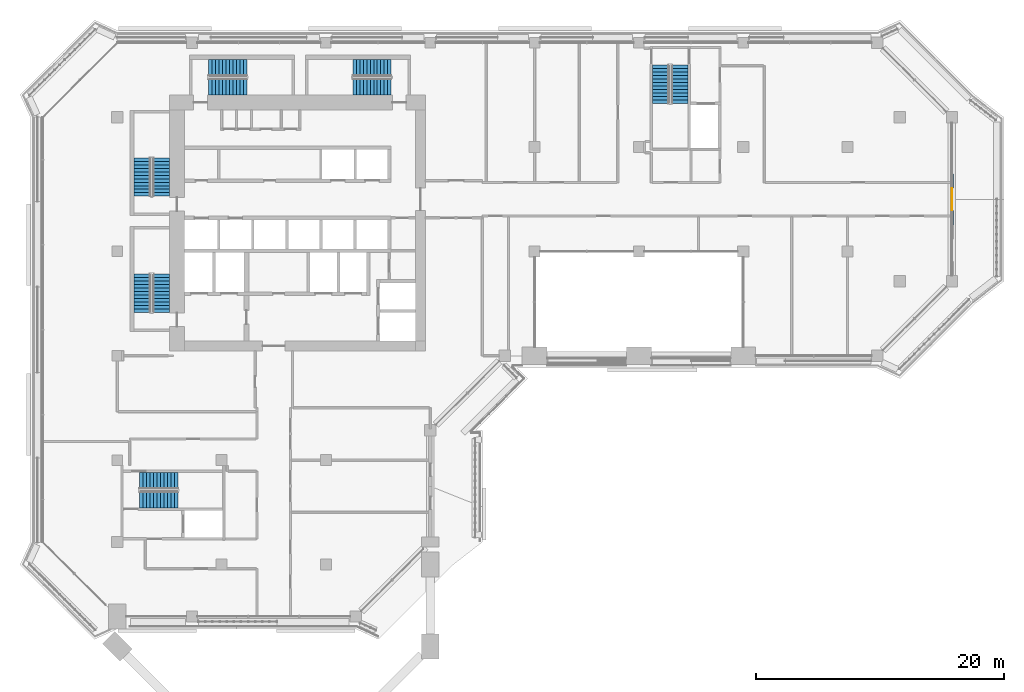
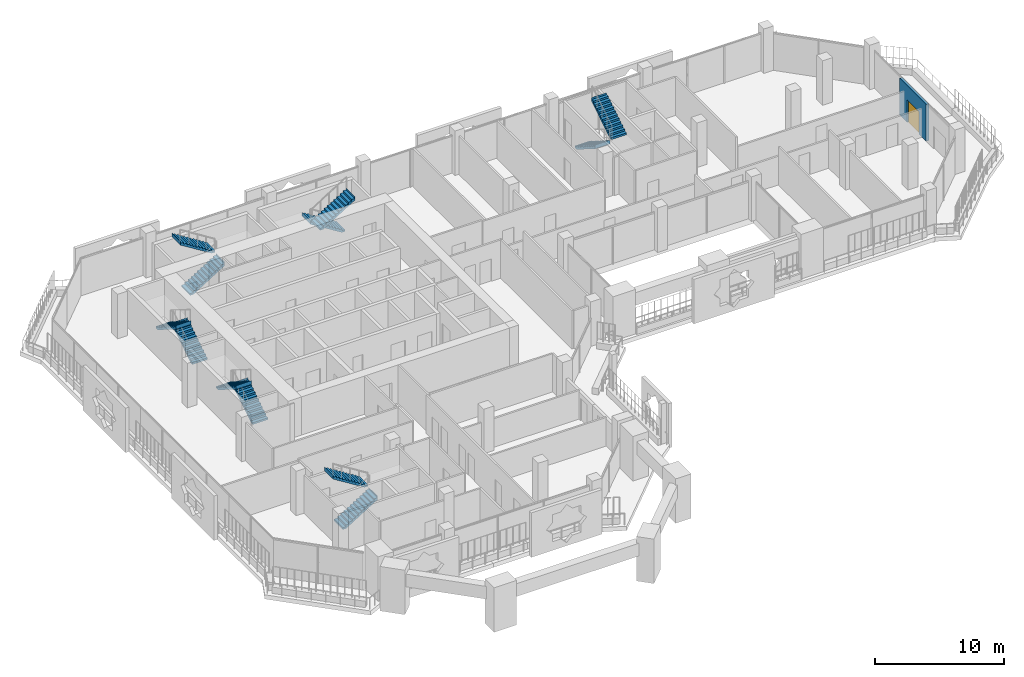
# One storey, part 16 of 23: 12 stair flights, 1 door, 1 wall, 1 opening, 6 elements without a shape of their own.
"""IFC4 building model written with IfcOpenShell, lengths in metres."""

from ifc_helpers import new_model, si_unit, direction, frame, frame_2d, origin, place, context, subcontext, project, spatial, polyline, rectangle, outline, extrude, material, layer, layer_set, type_object, element, fill, aggregate, save


model = new_model("IFC4")

# Units and contexts
model_context = context("Model", 3, precision=1e-05, world=origin(), true_north=direction((0.0, 1.0)))
body_context = subcontext(model_context, "Body", "Model", "MODEL_VIEW")
ifc_project = project(units=[si_unit("LENGTHUNIT", "METRE"), si_unit("AREAUNIT", "SQUARE_METRE"), si_unit("VOLUMEUNIT", "CUBIC_METRE"), si_unit("PLANEANGLEUNIT", "RADIAN"), si_unit("MASSUNIT", "GRAM", prefix="KILO")], contexts=[model_context])

# Site, building, storey
site_placement = place(None, origin())
site = spatial("IfcSite", under=ifc_project, at=site_placement, CompositionType="ELEMENT")
building_placement = place(site_placement, origin())
building = spatial("IfcBuilding", under=site, at=building_placement, Name="Kawkab Arch Medical Tower", CompositionType="ELEMENT")
storey_placement = place(building_placement, frame((0.0, 0.0, 226.39990234375)))
storey = spatial("IfcBuildingStorey", under=building, at=storey_placement, Name="L52", CompositionType="ELEMENT", Elevation=226.39990234375)

# Wall, opening, door
ifc_material_1 = material(Name="Bronze clad insulated wall panel")
ifc_layer = layer(ifc_material_1, 0.25)
ifc_layer_set = layer_set([ifc_layer], Name="Bronze clad insulated wall panel")
wall_type = type_object("IfcWallType", Name="External wall bay 250", PredefinedType="SOLIDWALL", material=ifc_layer_set)
wall_placement = place(storey_placement, frame((67.199951171875, -14.64990234375, 0.0), z_axis=(0.0, 0.0, 1.0), x_axis=(0.0, 1.0, 0.0)))
wall = element("IfcWall", 1, at=wall_placement, inside=storey, type_object=wall_type, Name="External wall bay L52.R07.1.2", PredefinedType="SOLIDWALL", context=body_context, shape_type="SweptSolid", body=[
    extrude(rectangle(XDim=4.099853515625, YDim=0.25, at=frame_2d((2.0498046875, 0.0))), origin(), (0.0, 0.0, 1.0), 3.47998046875),
])
opening_placement = place(wall_placement, frame((1.14990234375, 0.0, 0.0)))
opening = element("IfcOpeningElement", 2, at=opening_placement, cuts=wall, Name="Opening B52-701", PredefinedType="OPENING", context=body_context, shape_type="SweptSolid", body=[
    extrude(rectangle(XDim=1.800048828125, YDim=2.10009765625, at=frame_2d((0.89990234375, 1.050048828125))), frame((0.0, 0.135009765625, 0.0), z_axis=(0.0, -1.0, 0.0), x_axis=(1.0, 0.0, 0.0)), (0.0, 0.0, 1.0), 0.27001953125),
])
ifc_material_2 = material(Name="Bronze anodised aluminium door with tinted glass", Category="aluminium")
door_type = type_object("IfcDoorType", Name="Double external door 1800 x 2100", OperationType="DOUBLE_DOOR_SINGLE_SWING", PredefinedType="DOOR", material=ifc_material_2)
door_placement = place(opening_placement, origin())
door = element("IfcDoor", 3, at=door_placement, inside=storey, type_object=door_type, Name="External door L52.R07.1.2", OperationType="DOUBLE_DOOR_SINGLE_SWING", OverallHeight=2.10009765625, OverallWidth=1.800048828125, PredefinedType="DOOR", context=body_context, shape_type="SweptSolid", body=[
    extrude(rectangle(XDim=1.800048828125, YDim=2.10009765625, at=frame_2d((0.89990234375, 1.050048828125))), frame((0.0, 0.02490234375, 0.0), z_axis=(0.0, -1.0, 0.0), x_axis=(1.0, 0.0, 0.0)), (0.0, 0.0, 1.0), 0.050048828125),
])
fill(opening, door)

# Stair, stair flights
ifc_material_3 = material(Name="Concrete C40/50", Category="concrete")
stair_type = type_object("IfcStairType", Name="Exit stair 1350", PredefinedType="HALF_TURN_STAIR", material=ifc_material_3)
placement = place(storey_placement, origin())
stair_1 = element("IfcStair", 4, at=placement, inside=storey, type_object=stair_type, Name="L52 Exit stair ST1", PredefinedType="HALF_TURN_STAIR")
ifc_material_4 = material(Name="Concrete C40/50", Category="concrete")
stair_flight_type = type_object("IfcStairFlightType", Name="Exit stair flight 1350", PredefinedType="STRAIGHT", material=ifc_material_4)
stair_flight_1_placement = place(storey_placement, frame((3.52490234375, -12.35009765625, 0.0), z_axis=(0.0, 0.0, 1.0), x_axis=(0.0, 1.0, 0.0)))
stair_flight_1 = element("IfcStairFlight", 5, at=stair_flight_1_placement, type_object=stair_flight_type, Name="ST1 flight 1", NumberOfRisers=12, NumberOfTreads=11, PredefinedType="STRAIGHT", RiserHeight=0.175, TreadLength=0.28, context=body_context, shape_type="SweptSolid", body=[
    extrude(outline(polyline([(-0.0029296875, 0.0), (-0.0029296875, 0.175048828125), (0.0, 0.175048828125), (0.280029296875, 0.175048828125), (0.280029296875, 0.35009765625), (0.56005859375, 0.35009765625), (0.56005859375, 0.52490234375), (0.840087890625, 0.52490234375), (0.840087890625, 0.699951171875), (1.1201171875, 0.699951171875), (1.1201171875, 0.875), (1.39990234375, 0.875), (1.39990234375, 1.050048828125), (1.679931640625, 1.050048828125), (1.679931640625, 1.22509765625), (1.9599609375, 1.22509765625), (1.9599609375, 1.39990234375), (2.239990234375, 1.39990234375), (2.239990234375, 1.574951171875), (2.52001953125, 1.574951171875), (2.52001953125, 1.75), (2.800048828125, 1.75), (2.800048828125, 1.925048828125), (3.080078125, 1.925048828125), (3.080078125, 2.10009765625), (3.0830078125, 2.10009765625), (3.0830078125, 1.748291015625), (3.080078125, 1.748291015625), (0.28271484375, 0.0), (-0.0029296875, 0.0)])), frame((0.0, 0.675048828125, 0.0), z_axis=(0.0, -1.0, 0.0), x_axis=(1.0, 0.0, 0.0)), (0.0, 0.0, 1.0), 1.35009765625),
])
stair_flight_2_placement = place(storey_placement, frame((2.02490234375, -9.27001953125, 2.10009765625), z_axis=(0.0, 0.0, 1.0), x_axis=(0.0, -1.0, 0.0)))
stair_flight_2 = element("IfcStairFlight", 6, at=stair_flight_2_placement, type_object=stair_flight_type, Name="ST1 flight 2", NumberOfRisers=12, NumberOfTreads=11, PredefinedType="STRAIGHT", RiserHeight=0.175, TreadLength=0.28, context=body_context, shape_type="SweptSolid", body=[
    extrude(outline(polyline([(-0.0029296875, 0.0), (-0.0029296875, 0.175048828125), (0.0, 0.175048828125), (0.280029296875, 0.175048828125), (0.280029296875, 0.35009765625), (0.56005859375, 0.35009765625), (0.56005859375, 0.52490234375), (0.840087890625, 0.52490234375), (0.840087890625, 0.699951171875), (1.1201171875, 0.699951171875), (1.1201171875, 0.875), (1.39990234375, 0.875), (1.39990234375, 1.050048828125), (1.679931640625, 1.050048828125), (1.679931640625, 1.22509765625), (1.9599609375, 1.22509765625), (1.9599609375, 1.39990234375), (2.239990234375, 1.39990234375), (2.239990234375, 1.574951171875), (2.52001953125, 1.574951171875), (2.52001953125, 1.75), (2.800048828125, 1.75), (2.800048828125, 1.925048828125), (3.080078125, 1.925048828125), (3.080078125, 2.10009765625), (3.0830078125, 2.10009765625), (3.0830078125, 1.748291015625), (3.080078125, 1.748291015625), (0.28271484375, 0.0), (-0.0029296875, 0.0)])), frame((0.0, 0.675048828125, 0.0), z_axis=(0.0, -1.0, 0.0), x_axis=(1.0, 0.0, 0.0)), (0.0, 0.0, 1.0), 1.35009765625),
])
aggregate(stair_1, [stair_flight_1, stair_flight_2])

stair_2 = element("IfcStair", 7, at=placement, inside=storey, type_object=stair_type, Name="L52 Exit stair ST2", PredefinedType="HALF_TURN_STAIR")
stair_flight_3_placement = place(storey_placement, frame((3.52490234375, -21.699951171875, 0.0), z_axis=(0.0, 0.0, 1.0), x_axis=(0.0, 1.0, 0.0)))
stair_flight_3 = element("IfcStairFlight", 8, at=stair_flight_3_placement, type_object=stair_flight_type, Name="ST2 flight 1", NumberOfRisers=12, NumberOfTreads=11, PredefinedType="STRAIGHT", RiserHeight=0.175, TreadLength=0.28, context=body_context, shape_type="SweptSolid", body=[
    extrude(outline(polyline([(-0.0029296875, 0.0), (-0.0029296875, 0.175048828125), (0.0, 0.175048828125), (0.280029296875, 0.175048828125), (0.280029296875, 0.35009765625), (0.56005859375, 0.35009765625), (0.56005859375, 0.52490234375), (0.840087890625, 0.52490234375), (0.840087890625, 0.699951171875), (1.1201171875, 0.699951171875), (1.1201171875, 0.875), (1.39990234375, 0.875), (1.39990234375, 1.050048828125), (1.679931640625, 1.050048828125), (1.679931640625, 1.22509765625), (1.9599609375, 1.22509765625), (1.9599609375, 1.39990234375), (2.239990234375, 1.39990234375), (2.239990234375, 1.574951171875), (2.52001953125, 1.574951171875), (2.52001953125, 1.75), (2.800048828125, 1.75), (2.800048828125, 1.925048828125), (3.080078125, 1.925048828125), (3.080078125, 2.10009765625), (3.0830078125, 2.10009765625), (3.0830078125, 1.748291015625), (3.080078125, 1.748291015625), (0.28271484375, 0.0), (-0.0029296875, 0.0)])), frame((0.0, 0.675048828125, 0.0), z_axis=(0.0, -1.0, 0.0), x_axis=(1.0, 0.0, 0.0)), (0.0, 0.0, 1.0), 1.35009765625),
])
stair_flight_4_placement = place(storey_placement, frame((2.02490234375, -18.6201171875, 2.10009765625), z_axis=(0.0, 0.0, 1.0), x_axis=(0.0, -1.0, 0.0)))
stair_flight_4 = element("IfcStairFlight", 9, at=stair_flight_4_placement, type_object=stair_flight_type, Name="ST2 flight 2", NumberOfRisers=12, NumberOfTreads=11, PredefinedType="STRAIGHT", RiserHeight=0.175, TreadLength=0.28, context=body_context, shape_type="SweptSolid", body=[
    extrude(outline(polyline([(-0.0029296875, 0.0), (-0.0029296875, 0.175048828125), (0.0, 0.175048828125), (0.280029296875, 0.175048828125), (0.280029296875, 0.35009765625), (0.56005859375, 0.35009765625), (0.56005859375, 0.52490234375), (0.840087890625, 0.52490234375), (0.840087890625, 0.699951171875), (1.1201171875, 0.699951171875), (1.1201171875, 0.875), (1.39990234375, 0.875), (1.39990234375, 1.050048828125), (1.679931640625, 1.050048828125), (1.679931640625, 1.22509765625), (1.9599609375, 1.22509765625), (1.9599609375, 1.39990234375), (2.239990234375, 1.39990234375), (2.239990234375, 1.574951171875), (2.52001953125, 1.574951171875), (2.52001953125, 1.75), (2.800048828125, 1.75), (2.800048828125, 1.925048828125), (3.080078125, 1.925048828125), (3.080078125, 2.10009765625), (3.0830078125, 2.10009765625), (3.0830078125, 1.748291015625), (3.080078125, 1.748291015625), (0.28271484375, 0.0), (-0.0029296875, 0.0)])), frame((0.0, 0.675048828125, 0.0), z_axis=(0.0, -1.0, 0.0), x_axis=(1.0, 0.0, 0.0)), (0.0, 0.0, 1.0), 1.35009765625),
])
aggregate(stair_2, [stair_flight_3, stair_flight_4])

stair_3 = element("IfcStair", 10, at=placement, inside=storey, type_object=stair_type, Name="L52 Exit stair ST3", PredefinedType="HALF_TURN_STAIR")
stair_flight_5_placement = place(storey_placement, frame((7.35009765625, -3.52490234375, 0.0), z_axis=(0.0, 0.0, 1.0), x_axis=(1.0, 0.0, 0.0)))
stair_flight_5 = element("IfcStairFlight", 11, at=stair_flight_5_placement, type_object=stair_flight_type, Name="ST3 flight 1", NumberOfRisers=12, NumberOfTreads=11, PredefinedType="STRAIGHT", RiserHeight=0.175, TreadLength=0.28, context=body_context, shape_type="SweptSolid", body=[
    extrude(outline(polyline([(-0.0029296875, 0.0), (-0.0029296875, 0.175048828125), (0.0, 0.175048828125), (0.280029296875, 0.175048828125), (0.280029296875, 0.35009765625), (0.56005859375, 0.35009765625), (0.56005859375, 0.52490234375), (0.840087890625, 0.52490234375), (0.840087890625, 0.699951171875), (1.1201171875, 0.699951171875), (1.1201171875, 0.875), (1.39990234375, 0.875), (1.39990234375, 1.050048828125), (1.679931640625, 1.050048828125), (1.679931640625, 1.22509765625), (1.9599609375, 1.22509765625), (1.9599609375, 1.39990234375), (2.239990234375, 1.39990234375), (2.239990234375, 1.574951171875), (2.52001953125, 1.574951171875), (2.52001953125, 1.75), (2.800048828125, 1.75), (2.800048828125, 1.925048828125), (3.080078125, 1.925048828125), (3.080078125, 2.10009765625), (3.0830078125, 2.10009765625), (3.0830078125, 1.748291015625), (3.080078125, 1.748291015625), (0.28271484375, 0.0), (-0.0029296875, 0.0)])), frame((0.0, 0.675048828125, 0.0), z_axis=(0.0, -1.0, 0.0), x_axis=(1.0, 0.0, 0.0)), (0.0, 0.0, 1.0), 1.35009765625),
])
stair_flight_6_placement = place(storey_placement, frame((10.429931640625, -2.02490234375, 2.10009765625), z_axis=(0.0, 0.0, 1.0), x_axis=(-1.0, 0.0, 0.0)))
stair_flight_6 = element("IfcStairFlight", 12, at=stair_flight_6_placement, type_object=stair_flight_type, Name="ST3 flight 2", NumberOfRisers=12, NumberOfTreads=11, PredefinedType="STRAIGHT", RiserHeight=0.175, TreadLength=0.28, context=body_context, shape_type="SweptSolid", body=[
    extrude(outline(polyline([(-0.0029296875, 0.0), (-0.0029296875, 0.175048828125), (0.0, 0.175048828125), (0.280029296875, 0.175048828125), (0.280029296875, 0.35009765625), (0.56005859375, 0.35009765625), (0.56005859375, 0.52490234375), (0.840087890625, 0.52490234375), (0.840087890625, 0.699951171875), (1.1201171875, 0.699951171875), (1.1201171875, 0.875), (1.39990234375, 0.875), (1.39990234375, 1.050048828125), (1.679931640625, 1.050048828125), (1.679931640625, 1.22509765625), (1.9599609375, 1.22509765625), (1.9599609375, 1.39990234375), (2.239990234375, 1.39990234375), (2.239990234375, 1.574951171875), (2.52001953125, 1.574951171875), (2.52001953125, 1.75), (2.800048828125, 1.75), (2.800048828125, 1.925048828125), (3.080078125, 1.925048828125), (3.080078125, 2.10009765625), (3.0830078125, 2.10009765625), (3.0830078125, 1.748291015625), (3.080078125, 1.748291015625), (0.28271484375, 0.0), (-0.0029296875, 0.0)])), frame((0.0, 0.675048828125, 0.0), z_axis=(0.0, -1.0, 0.0), x_axis=(1.0, 0.0, 0.0)), (0.0, 0.0, 1.0), 1.35009765625),
])
aggregate(stair_3, [stair_flight_5, stair_flight_6])

stair_4 = element("IfcStair", 13, at=placement, inside=storey, type_object=stair_type, Name="L52 Exit stair ST4", PredefinedType="HALF_TURN_STAIR")
stair_flight_7_placement = place(storey_placement, frame((22.050048828125, -2.02490234375, 0.0), z_axis=(0.0, 0.0, 1.0), x_axis=(-1.0, 0.0, 0.0)))
stair_flight_7 = element("IfcStairFlight", 14, at=stair_flight_7_placement, type_object=stair_flight_type, Name="ST4 flight 1", NumberOfRisers=12, NumberOfTreads=11, PredefinedType="STRAIGHT", RiserHeight=0.175, TreadLength=0.28, context=body_context, shape_type="SweptSolid", body=[
    extrude(outline(polyline([(-0.0029296875, 0.0), (-0.0029296875, 0.175048828125), (0.0, 0.175048828125), (0.280029296875, 0.175048828125), (0.280029296875, 0.35009765625), (0.56005859375, 0.35009765625), (0.56005859375, 0.52490234375), (0.840087890625, 0.52490234375), (0.840087890625, 0.699951171875), (1.1201171875, 0.699951171875), (1.1201171875, 0.875), (1.39990234375, 0.875), (1.39990234375, 1.050048828125), (1.679931640625, 1.050048828125), (1.679931640625, 1.22509765625), (1.9599609375, 1.22509765625), (1.9599609375, 1.39990234375), (2.239990234375, 1.39990234375), (2.239990234375, 1.574951171875), (2.52001953125, 1.574951171875), (2.52001953125, 1.75), (2.800048828125, 1.75), (2.800048828125, 1.925048828125), (3.080078125, 1.925048828125), (3.080078125, 2.10009765625), (3.0830078125, 2.10009765625), (3.0830078125, 1.748291015625), (3.080078125, 1.748291015625), (0.28271484375, 0.0), (-0.0029296875, 0.0)])), frame((0.0, 0.675048828125, 0.0), z_axis=(0.0, -1.0, 0.0), x_axis=(1.0, 0.0, 0.0)), (0.0, 0.0, 1.0), 1.35009765625),
])
stair_flight_8_placement = place(storey_placement, frame((18.969970703125, -3.52490234375, 2.10009765625), z_axis=(0.0, 0.0, 1.0), x_axis=(1.0, 0.0, 0.0)))
stair_flight_8 = element("IfcStairFlight", 15, at=stair_flight_8_placement, type_object=stair_flight_type, Name="ST4 flight 2", NumberOfRisers=12, NumberOfTreads=11, PredefinedType="STRAIGHT", RiserHeight=0.175, TreadLength=0.28, context=body_context, shape_type="SweptSolid", body=[
    extrude(outline(polyline([(-0.0029296875, 0.0), (-0.0029296875, 0.175048828125), (0.0, 0.175048828125), (0.280029296875, 0.175048828125), (0.280029296875, 0.35009765625), (0.56005859375, 0.35009765625), (0.56005859375, 0.52490234375), (0.840087890625, 0.52490234375), (0.840087890625, 0.699951171875), (1.1201171875, 0.699951171875), (1.1201171875, 0.875), (1.39990234375, 0.875), (1.39990234375, 1.050048828125), (1.679931640625, 1.050048828125), (1.679931640625, 1.22509765625), (1.9599609375, 1.22509765625), (1.9599609375, 1.39990234375), (2.239990234375, 1.39990234375), (2.239990234375, 1.574951171875), (2.52001953125, 1.574951171875), (2.52001953125, 1.75), (2.800048828125, 1.75), (2.800048828125, 1.925048828125), (3.080078125, 1.925048828125), (3.080078125, 2.10009765625), (3.0830078125, 2.10009765625), (3.0830078125, 1.748291015625), (3.080078125, 1.748291015625), (0.28271484375, 0.0), (-0.0029296875, 0.0)])), frame((0.0, 0.675048828125, 0.0), z_axis=(0.0, -1.0, 0.0), x_axis=(1.0, 0.0, 0.0)), (0.0, 0.0, 1.0), 1.35009765625),
])
aggregate(stair_4, [stair_flight_7, stair_flight_8])

stair_5 = element("IfcStair", 16, at=placement, inside=storey, type_object=stair_type, Name="L52 Exit stair ST5", PredefinedType="HALF_TURN_STAIR")
stair_flight_9_placement = place(storey_placement, frame((43.77490234375, -1.800048828125, 0.0), z_axis=(0.0, 0.0, 1.0), x_axis=(0.0, -1.0, 0.0)))
stair_flight_9 = element("IfcStairFlight", 17, at=stair_flight_9_placement, type_object=stair_flight_type, Name="ST5 flight 1", NumberOfRisers=12, NumberOfTreads=11, PredefinedType="STRAIGHT", RiserHeight=0.175, TreadLength=0.28, context=body_context, shape_type="SweptSolid", body=[
    extrude(outline(polyline([(-0.0029296875, 0.0), (-0.0029296875, 0.175048828125), (0.0, 0.175048828125), (0.280029296875, 0.175048828125), (0.280029296875, 0.35009765625), (0.56005859375, 0.35009765625), (0.56005859375, 0.52490234375), (0.840087890625, 0.52490234375), (0.840087890625, 0.699951171875), (1.1201171875, 0.699951171875), (1.1201171875, 0.875), (1.39990234375, 0.875), (1.39990234375, 1.050048828125), (1.679931640625, 1.050048828125), (1.679931640625, 1.22509765625), (1.9599609375, 1.22509765625), (1.9599609375, 1.39990234375), (2.239990234375, 1.39990234375), (2.239990234375, 1.574951171875), (2.52001953125, 1.574951171875), (2.52001953125, 1.75), (2.800048828125, 1.75), (2.800048828125, 1.925048828125), (3.080078125, 1.925048828125), (3.080078125, 2.10009765625), (3.0830078125, 2.10009765625), (3.0830078125, 1.748291015625), (3.080078125, 1.748291015625), (0.28271484375, 0.0), (-0.0029296875, 0.0)])), frame((0.0, 0.675048828125, 0.0), z_axis=(0.0, -1.0, 0.0), x_axis=(1.0, 0.0, 0.0)), (0.0, 0.0, 1.0), 1.35009765625),
])
stair_flight_10_placement = place(storey_placement, frame((45.27490234375, -4.8798828125, 2.10009765625), z_axis=(0.0, 0.0, 1.0), x_axis=(0.0, 1.0, 0.0)))
stair_flight_10 = element("IfcStairFlight", 18, at=stair_flight_10_placement, type_object=stair_flight_type, Name="ST5 flight 2", NumberOfRisers=12, NumberOfTreads=11, PredefinedType="STRAIGHT", RiserHeight=0.175, TreadLength=0.28, context=body_context, shape_type="SweptSolid", body=[
    extrude(outline(polyline([(-0.0029296875, 0.0), (-0.0029296875, 0.175048828125), (0.0, 0.175048828125), (0.280029296875, 0.175048828125), (0.280029296875, 0.35009765625), (0.56005859375, 0.35009765625), (0.56005859375, 0.52490234375), (0.840087890625, 0.52490234375), (0.840087890625, 0.699951171875), (1.1201171875, 0.699951171875), (1.1201171875, 0.875), (1.39990234375, 0.875), (1.39990234375, 1.050048828125), (1.679931640625, 1.050048828125), (1.679931640625, 1.22509765625), (1.9599609375, 1.22509765625), (1.9599609375, 1.39990234375), (2.239990234375, 1.39990234375), (2.239990234375, 1.574951171875), (2.52001953125, 1.574951171875), (2.52001953125, 1.75), (2.800048828125, 1.75), (2.800048828125, 1.925048828125), (3.080078125, 1.925048828125), (3.080078125, 2.10009765625), (3.0830078125, 2.10009765625), (3.0830078125, 1.748291015625), (3.080078125, 1.748291015625), (0.28271484375, 0.0), (-0.0029296875, 0.0)])), frame((0.0, 0.675048828125, 0.0), z_axis=(0.0, -1.0, 0.0), x_axis=(1.0, 0.0, 0.0)), (0.0, 0.0, 1.0), 1.35009765625),
])
aggregate(stair_5, [stair_flight_9, stair_flight_10])

stair_6 = element("IfcStair", 19, at=placement, inside=storey, type_object=stair_type, Name="L52 Exit stair ST6", PredefinedType="HALF_TURN_STAIR")
stair_flight_11_placement = place(storey_placement, frame((1.800048828125, -36.77490234375, 0.0), z_axis=(0.0, 0.0, 1.0), x_axis=(1.0, 0.0, 0.0)))
stair_flight_11 = element("IfcStairFlight", 20, at=stair_flight_11_placement, type_object=stair_flight_type, Name="ST6 flight 1", NumberOfRisers=12, NumberOfTreads=11, PredefinedType="STRAIGHT", RiserHeight=0.175, TreadLength=0.28, context=body_context, shape_type="SweptSolid", body=[
    extrude(outline(polyline([(-0.0029296875, 0.0), (-0.0029296875, 0.175048828125), (0.0, 0.175048828125), (0.280029296875, 0.175048828125), (0.280029296875, 0.35009765625), (0.56005859375, 0.35009765625), (0.56005859375, 0.52490234375), (0.840087890625, 0.52490234375), (0.840087890625, 0.699951171875), (1.1201171875, 0.699951171875), (1.1201171875, 0.875), (1.39990234375, 0.875), (1.39990234375, 1.050048828125), (1.679931640625, 1.050048828125), (1.679931640625, 1.22509765625), (1.9599609375, 1.22509765625), (1.9599609375, 1.39990234375), (2.239990234375, 1.39990234375), (2.239990234375, 1.574951171875), (2.52001953125, 1.574951171875), (2.52001953125, 1.75), (2.800048828125, 1.75), (2.800048828125, 1.925048828125), (3.080078125, 1.925048828125), (3.080078125, 2.10009765625), (3.0830078125, 2.10009765625), (3.0830078125, 1.748291015625), (3.080078125, 1.748291015625), (0.28271484375, 0.0), (-0.0029296875, 0.0)])), frame((0.0, 0.675048828125, 0.0), z_axis=(0.0, -1.0, 0.0), x_axis=(1.0, 0.0, 0.0)), (0.0, 0.0, 1.0), 1.35009765625),
])
stair_flight_12_placement = place(storey_placement, frame((4.8798828125, -35.27490234375, 2.10009765625), z_axis=(0.0, 0.0, 1.0), x_axis=(-1.0, 0.0, 0.0)))
stair_flight_12 = element("IfcStairFlight", 21, at=stair_flight_12_placement, type_object=stair_flight_type, Name="ST6 flight 2", NumberOfRisers=12, NumberOfTreads=11, PredefinedType="STRAIGHT", RiserHeight=0.175, TreadLength=0.28, context=body_context, shape_type="SweptSolid", body=[
    extrude(outline(polyline([(-0.0029296875, 0.0), (-0.0029296875, 0.175048828125), (0.0, 0.175048828125), (0.280029296875, 0.175048828125), (0.280029296875, 0.35009765625), (0.56005859375, 0.35009765625), (0.56005859375, 0.52490234375), (0.840087890625, 0.52490234375), (0.840087890625, 0.699951171875), (1.1201171875, 0.699951171875), (1.1201171875, 0.875), (1.39990234375, 0.875), (1.39990234375, 1.050048828125), (1.679931640625, 1.050048828125), (1.679931640625, 1.22509765625), (1.9599609375, 1.22509765625), (1.9599609375, 1.39990234375), (2.239990234375, 1.39990234375), (2.239990234375, 1.574951171875), (2.52001953125, 1.574951171875), (2.52001953125, 1.75), (2.800048828125, 1.75), (2.800048828125, 1.925048828125), (3.080078125, 1.925048828125), (3.080078125, 2.10009765625), (3.0830078125, 2.10009765625), (3.0830078125, 1.748291015625), (3.080078125, 1.748291015625), (0.28271484375, 0.0), (-0.0029296875, 0.0)])), frame((0.0, 0.675048828125, 0.0), z_axis=(0.0, -1.0, 0.0), x_axis=(1.0, 0.0, 0.0)), (0.0, 0.0, 1.0), 1.35009765625),
])
aggregate(stair_6, [stair_flight_11, stair_flight_12])

save(model, "model.ifc")
